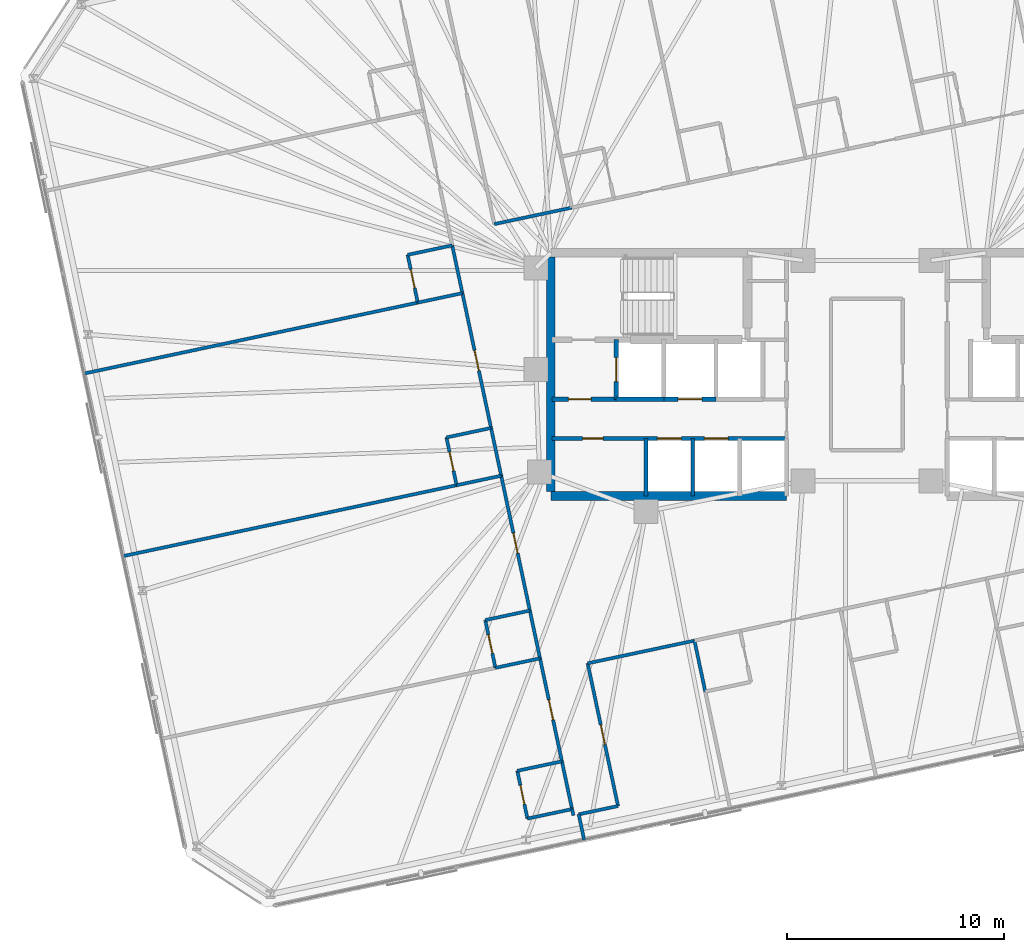
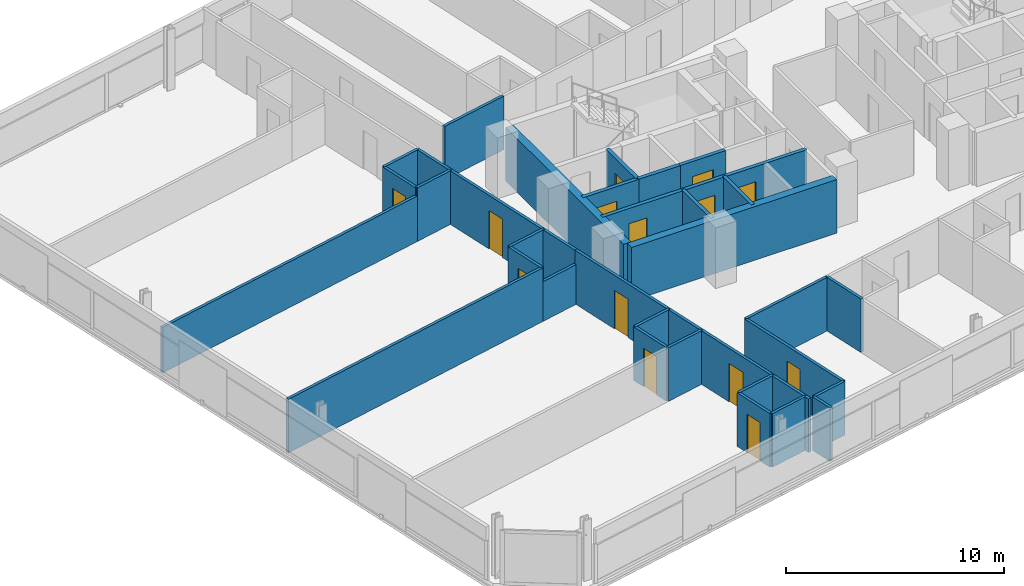
# One storey, part 14 of 20: 37 walls, 14 doors, 14 openings.
"""IFC4 building model written with IfcOpenShell, lengths in metres."""

from ifc_helpers import new_model, si_unit, direction, frame, frame_2d, origin, place, context, subcontext, project, spatial, rectangle, extrude, material, layer, layer_set, type_object, element, fill, save


model = new_model("IFC4")

# Units and contexts
model_context = context("Model", 3, precision=1e-05, world=origin(), true_north=direction((0.0, 1.0)))
body_context = subcontext(model_context, "Body", "Model", "MODEL_VIEW")
ifc_project = project(units=[si_unit("LENGTHUNIT", "METRE"), si_unit("AREAUNIT", "SQUARE_METRE"), si_unit("VOLUMEUNIT", "CUBIC_METRE"), si_unit("PLANEANGLEUNIT", "RADIAN"), si_unit("MASSUNIT", "GRAM", prefix="KILO")], contexts=[model_context])

# Site, building, storey
site_placement = place(None, origin())
site = spatial("IfcSite", under=ifc_project, at=site_placement, CompositionType="ELEMENT")
building_placement = place(site_placement, origin())
building = spatial("IfcBuilding", under=site, at=building_placement, Name="Menara Jurai Vektor", CompositionType="ELEMENT")
storey_placement = place(building_placement, frame((0.0, 0.0, 199.0)))
storey = spatial("IfcBuildingStorey", under=building, at=storey_placement, Name="L52", CompositionType="ELEMENT", Elevation=199.0)

# Wall, opening, door
ifc_material_1 = material(Name="Concrete C40/50", Category="concrete")
ifc_layer_1 = layer(ifc_material_1, 0.25)
ifc_layer_set_1 = layer_set([ifc_layer_1], Name="Concrete C40/50")
wall_type_1 = type_object("IfcWallType", Name="INT-WALL-CORE-250", PredefinedType="STANDARD", material=ifc_layer_set_1)
wall_1_placement = place(storey_placement, frame((-11.550048828125, -1.14990234375, 0.0), z_axis=(0.0, 0.0, 1.0), x_axis=(0.0, 1.0, 0.0)))
wall_1 = element("IfcWall", 1, at=wall_1_placement, inside=storey, type_object=wall_type_1, Name="Interior Wall IW-250 L52", PredefinedType="STANDARD", context=body_context, shape_type="SweptSolid", body=[
    extrude(rectangle(XDim=2.75, YDim=0.199951171875, at=frame_2d((1.375, 0.0))), origin(), (0.0, 0.0, 1.0), 3.0),
])
opening_1_placement = place(wall_1_placement, frame((0.824951171875, 0.0, 0.0)))
opening_1 = element("IfcOpeningElement", 2, at=opening_1_placement, cuts=wall_1, Name="Opening LD-L52-FL1", PredefinedType="OPENING", context=body_context, shape_type="SweptSolid", body=[
    extrude(rectangle(XDim=1.10009765625, YDim=2.14990234375, at=frame_2d((0.550048828125, 1.074951171875))), frame((0.0, 0.10986328125, 0.0), z_axis=(0.0, -1.0, 0.0), x_axis=(1.0, 0.0, 0.0)), (0.0, 0.0, 1.0), 0.219970703125),
])
ifc_material_2 = material(Name="Stainless Steel Sliding Lift Landing Door", Category="steel")
door_type_1 = type_object("IfcDoorType", Name="DR-LIFT-FIRE-1100", OperationType="NOTDEFINED", PredefinedType="DOOR", material=ifc_material_2)
door_1_placement = place(opening_1_placement, origin())
door_1 = element("IfcDoor", 3, at=door_1_placement, inside=storey, type_object=door_type_1, Name="Lift Landing Door FL1 L52", OperationType="SLIDING_TO_RIGHT", OverallHeight=2.14990234375, OverallWidth=1.10009765625, PredefinedType="DOOR", context=body_context, shape_type="SweptSolid", body=[
    extrude(rectangle(XDim=1.10009765625, YDim=2.14990234375, at=frame_2d((0.550048828125, 1.074951171875))), frame((0.0, 0.02490234375, 0.0), z_axis=(0.0, -1.0, 0.0), x_axis=(1.0, 0.0, 0.0)), (0.0, 0.0, 1.0), 0.050048828125),
])
fill(opening_1, door_1)

wall_2_placement = place(storey_placement, frame((-14.5, -1.14990234375, 0.0), z_axis=(0.0, 0.0, 1.0), x_axis=(1.0, 0.0, 0.0)))
wall_2 = element("IfcWall", 4, at=wall_2_placement, inside=storey, type_object=wall_type_1, Name="Interior Wall IW-250 L52", PredefinedType="STANDARD", context=body_context, shape_type="SweptSolid", body=[
    extrude(rectangle(XDim=2.949951171875, YDim=0.199951171875, at=frame_2d((1.47509765625, 0.0))), origin(), (0.0, 0.0, 1.0), 3.0),
])
opening_2_placement = place(wall_2_placement, frame((0.75, 0.0, 0.0)))
opening_2 = element("IfcOpeningElement", 5, at=opening_2_placement, cuts=wall_2, Name="Opening D-L52-FFW", PredefinedType="OPENING", context=body_context, shape_type="SweptSolid", body=[
    extrude(rectangle(XDim=1.050048828125, YDim=2.179931640625, at=frame_2d((0.52490234375, 1.08984375))), frame((0.0, 0.10986328125, 0.0), z_axis=(0.0, -1.0, 0.0), x_axis=(1.0, 0.0, 0.0)), (0.0, 0.0, 1.0), 0.219970703125),
])
ifc_material_3 = material(Name="Fire-Rated Timber Door", Category="wood")
door_type_2 = type_object("IfcDoorType", Name="DR-LOBBY-1050", OperationType="NOTDEFINED", PredefinedType="DOOR", material=ifc_material_3)
door_2_placement = place(opening_2_placement, origin())
door_2 = element("IfcDoor", 6, at=door_2_placement, inside=storey, type_object=door_type_2, Name="Fire Lift Lobby Door W L52", OperationType="SINGLE_SWING_RIGHT", OverallHeight=2.179931640625, OverallWidth=1.050048828125, PredefinedType="DOOR", context=body_context, shape_type="SweptSolid", body=[
    extrude(rectangle(XDim=1.050048828125, YDim=2.179931640625, at=frame_2d((0.52490234375, 1.08984375))), frame((0.0, 0.02490234375, 0.0), z_axis=(0.0, -1.0, 0.0), x_axis=(1.0, 0.0, 0.0)), (0.0, 0.0, 1.0), 0.050048828125),
])
fill(opening_2, door_2)

# Walls
wall_3_placement = place(storey_placement, frame((-11.550048828125, -1.14990234375, 0.0), z_axis=(0.0, 0.0, 1.0), x_axis=(1.0, 0.0, 0.0)))
element("IfcWall", 7, at=wall_3_placement, inside=storey, type_object=wall_type_1, Name="Interior Wall IW-250 L52", PredefinedType="STANDARD", context=body_context, shape_type="SweptSolid", body=[
    extrude(rectangle(XDim=2.199951171875, YDim=0.199951171875, at=frame_2d((1.10009765625, 0.0))), origin(), (0.0, 0.0, 1.0), 3.0),
])
ifc_material_4 = material(Name="Gypsum Fireboard Partition", Category="gypsum")
ifc_layer_2 = layer(ifc_material_4, 0.14990234375)
ifc_layer_set_2 = layer_set([ifc_layer_2], Name="Gypsum Fireboard Partition")
wall_type_2 = type_object("IfcWallType", Name="INT-WALL-CORR-150", PredefinedType="PARTITIONING", material=ifc_layer_set_2)
wall_4_placement = place(storey_placement, frame((-17.162353515625, 6.92578125, 0.0), z_axis=(0.0, 0.0, 1.0), x_axis=(0.978147299501, 0.207913108004, 0.0)))
element("IfcWall", 8, at=wall_4_placement, inside=storey, type_object=wall_type_2, Name="Interior Wall IW-150 L52", PredefinedType="PARTITIONING", context=body_context, shape_type="SweptSolid", body=[
    extrude(rectangle(XDim=3.653076171875, YDim=0.14990234375, at=frame_2d((1.82666015625, 0.0))), origin(), (0.0, 0.0, 1.0), 3.0),
])
wall_5_placement = place(storey_placement, frame((-13.274169921875, -20.264892578125, 0.0), z_axis=(0.0, 0.0, 1.0), x_axis=(0.978160192495, 0.207852442415, 0.0)))
element("IfcWall", 9, at=wall_5_placement, inside=storey, type_object=wall_type_2, Name="Interior Wall IW-150 L52", PredefinedType="PARTITIONING", context=body_context, shape_type="SweptSolid", body=[
    extrude(rectangle(XDim=1.849853515625, YDim=0.14990234375, at=frame_2d((0.9248046875, 0.0))), origin(), (0.0, 0.0, 1.0), 3.0),
])

# Wall, opening, door
wall_6_placement = place(storey_placement, frame((-11.464599609375, -19.88037109375, 0.0), z_axis=(0.0, 0.0, 1.0), x_axis=(-0.207916109912, 0.978146661416, 0.0)))
wall_6 = element("IfcWall", 10, at=wall_6_placement, inside=storey, type_object=wall_type_2, Name="Interior Wall IW-150 L52", PredefinedType="PARTITIONING", context=body_context, shape_type="SweptSolid", body=[
    extrude(rectangle(XDim=6.72021484375, YDim=0.14990234375, at=frame_2d((3.360107421875, 0.0))), origin(), (0.0, 0.0, 1.0), 3.0),
])
opening_3_placement = place(wall_6_placement, frame((2.89990234375, 0.0, 0.0)))
opening_3 = element("IfcOpeningElement", 11, at=opening_3_placement, cuts=wall_6, Name="Opening D52-18", PredefinedType="OPENING", context=body_context, shape_type="SweptSolid", body=[
    extrude(rectangle(XDim=0.919921875, YDim=2.14990234375, at=frame_2d((0.4599609375, 1.074951171875))), frame((0.0, 0.0849609375, 0.0), z_axis=(0.0, -1.0, 0.0), x_axis=(1.0, 0.0, 0.0)), (0.0, 0.0, 1.0), 0.169921875),
])
ifc_material_5 = material(Name="Solid Core Timber Fire Door", Category="wood")
door_type_3 = type_object("IfcDoorType", Name="DR-ENTRY-950", OperationType="NOTDEFINED", PredefinedType="DOOR", material=ifc_material_5)
door_3_placement = place(opening_3_placement, origin())
door_3 = element("IfcDoor", 12, at=door_3_placement, inside=storey, type_object=door_type_3, Name="Interior Door D52-18", OperationType="SINGLE_SWING_LEFT", OverallHeight=2.14990234375, OverallWidth=0.919921875, PredefinedType="DOOR", context=body_context, shape_type="SweptSolid", body=[
    extrude(rectangle(XDim=0.919921875, YDim=2.14990234375, at=frame_2d((0.4599609375, 1.074951171875))), frame((0.0, 0.02490234375, 0.0), z_axis=(0.0, -1.0, 0.0), x_axis=(1.0, 0.0, 0.0)), (0.0, 0.0, 1.0), 0.050048828125),
])
fill(opening_3, door_3)

# Walls
wall_7_placement = place(storey_placement, frame((-12.86181640625, -13.30712890625, 0.0), z_axis=(0.0, 0.0, 1.0), x_axis=(0.978145647498, 0.207920879857, 0.0)))
element("IfcWall", 13, at=wall_7_placement, inside=storey, type_object=wall_type_2, Name="Interior Wall IW-150 L52", PredefinedType="PARTITIONING", context=body_context, shape_type="SweptSolid", body=[
    extrude(rectangle(XDim=5.029052734375, YDim=0.14990234375, at=frame_2d((2.5146484375, 0.0))), origin(), (0.0, 0.0, 1.0), 3.0),
])
wall_8_placement = place(storey_placement, frame((-13.518798828125, -20.31689453125, 0.0), z_axis=(0.0, 0.0, 1.0), x_axis=(-0.207527808066, 0.978229118806, 0.0)))
element("IfcWall", 14, at=wall_8_placement, inside=storey, type_object=wall_type_2, Name="Interior Wall IW-150 L52", PredefinedType="PARTITIONING", context=body_context, shape_type="SweptSolid", body=[
    extrude(rectangle(XDim=0.300048828125, YDim=0.14990234375, at=frame_2d((0.14990234375, 0.0))), origin(), (0.0, 0.0, 1.0), 3.0),
])

# Wall, opening, door
wall_9_placement = place(storey_placement, frame((-14.048828125, -17.822509765625, 0.0), z_axis=(0.0, 0.0, 1.0), x_axis=(-0.2079027059, 0.978149510494, 0.0)))
wall_9 = element("IfcWall", 15, at=wall_9_placement, inside=storey, type_object=wall_type_2, Name="Interior Wall IW-150 L52", PredefinedType="PARTITIONING", context=body_context, shape_type="SweptSolid", body=[
    extrude(rectangle(XDim=4.849853515625, YDim=0.14990234375, at=frame_2d((2.4248046875, 0.0))), origin(), (0.0, 0.0, 1.0), 3.0),
])
opening_4_placement = place(wall_9_placement, frame((1.949951171875, 0.0, 0.0)))
opening_4 = element("IfcOpeningElement", 16, at=opening_4_placement, cuts=wall_9, Name="Opening D52-27", PredefinedType="OPENING", context=body_context, shape_type="SweptSolid", body=[
    extrude(rectangle(XDim=0.949951171875, YDim=2.14990234375, at=frame_2d((0.47509765625, 1.074951171875))), frame((0.0, 0.0849609375, 0.0), z_axis=(0.0, -1.0, 0.0), x_axis=(1.0, 0.0, 0.0)), (0.0, 0.0, 1.0), 0.169921875),
])
door_4_placement = place(opening_4_placement, origin())
door_4 = element("IfcDoor", 17, at=door_4_placement, inside=storey, type_object=door_type_3, Name="Interior Door D52-27", OperationType="SINGLE_SWING_RIGHT", OverallHeight=2.14990234375, OverallWidth=0.949951171875, PredefinedType="DOOR", context=body_context, shape_type="SweptSolid", body=[
    extrude(rectangle(XDim=0.949951171875, YDim=2.14990234375, at=frame_2d((0.47509765625, 1.074951171875))), frame((0.0, 0.02490234375, 0.0), z_axis=(0.0, -1.0, 0.0), x_axis=(1.0, 0.0, 0.0)), (0.0, 0.0, 1.0), 0.050048828125),
])
fill(opening_4, door_4)

# Wall
wall_10_placement = place(storey_placement, frame((-13.5810546875, -20.0234375, 0.0), z_axis=(0.0, 0.0, 1.0), x_axis=(-0.207891197838, 0.978151956427, 0.0)))
element("IfcWall", 18, at=wall_10_placement, inside=storey, type_object=wall_type_2, Name="Interior Wall IW-150 L52", PredefinedType="PARTITIONING", context=body_context, shape_type="SweptSolid", body=[
    extrude(rectangle(XDim=2.25, YDim=0.14990234375, at=frame_2d((1.125, 0.0))), origin(), (0.0, 0.0, 1.0), 3.0),
])

# Wall, opening, door
wall_11_placement = place(storey_placement, frame((-15.525146484375, -10.877685546875, 0.0), z_axis=(0.0, 0.0, 1.0), x_axis=(-0.207887725283, 0.978152694459, 0.0)))
wall_11 = element("IfcWall", 19, at=wall_11_placement, inside=storey, type_object=wall_type_2, Name="Interior Wall IW-150 L52", PredefinedType="PARTITIONING", context=body_context, shape_type="SweptSolid", body=[
    extrude(rectangle(XDim=6.349853515625, YDim=0.14990234375, at=frame_2d((3.1748046875, 0.0))), origin(), (0.0, 0.0, 1.0), 3.0),
])
opening_5_placement = place(wall_11_placement, frame((2.699951171875, 0.0, 0.0)))
opening_5 = element("IfcOpeningElement", 20, at=opening_5_placement, cuts=wall_11, Name="Opening D52-29", PredefinedType="OPENING", context=body_context, shape_type="SweptSolid", body=[
    extrude(rectangle(XDim=0.949951171875, YDim=2.14990234375, at=frame_2d((0.47509765625, 1.074951171875))), frame((0.0, 0.0849609375, 0.0), z_axis=(0.0, -1.0, 0.0), x_axis=(1.0, 0.0, 0.0)), (0.0, 0.0, 1.0), 0.169921875),
])
door_5_placement = place(opening_5_placement, origin())
door_5 = element("IfcDoor", 21, at=door_5_placement, inside=storey, type_object=door_type_3, Name="Interior Door D52-29", OperationType="SINGLE_SWING_RIGHT", OverallHeight=2.14990234375, OverallWidth=0.949951171875, PredefinedType="DOOR", context=body_context, shape_type="SweptSolid", body=[
    extrude(rectangle(XDim=0.949951171875, YDim=2.14990234375, at=frame_2d((0.47509765625, 1.074951171875))), frame((0.0, 0.02490234375, 0.0), z_axis=(0.0, -1.0, 0.0), x_axis=(1.0, 0.0, 0.0)), (0.0, 0.0, 1.0), 0.050048828125),
])
fill(opening_5, door_5)

# Wall
wall_12_placement = place(storey_placement, frame((-15.05712890625, -13.07861328125, 0.0), z_axis=(0.0, 0.0, 1.0), x_axis=(-0.207995007687, 0.978129887478, 0.0)))
element("IfcWall", 22, at=wall_12_placement, inside=storey, type_object=wall_type_2, Name="Interior Wall IW-150 L52", PredefinedType="PARTITIONING", context=body_context, shape_type="SweptSolid", body=[
    extrude(rectangle(XDim=2.250244140625, YDim=0.14990234375, at=frame_2d((1.125, 0.0))), origin(), (0.0, 0.0, 1.0), 3.0),
])

# Wall, opening, door
wall_13_placement = place(storey_placement, frame((-17.31298828125, -2.4658203125, 0.0), z_axis=(0.0, 0.0, 1.0), x_axis=(-0.207916691923, 0.978146537703, 0.0)))
wall_13 = element("IfcWall", 23, at=wall_13_placement, inside=storey, type_object=wall_type_2, Name="Interior Wall IW-150 L52", PredefinedType="PARTITIONING", context=body_context, shape_type="SweptSolid", body=[
    extrude(rectangle(XDim=6.35009765625, YDim=0.14990234375, at=frame_2d((3.175048828125, 0.0))), origin(), (0.0, 0.0, 1.0), 3.0),
])
opening_6_placement = place(wall_13_placement, frame((2.699951171875, 0.0, 0.0)))
opening_6 = element("IfcOpeningElement", 24, at=opening_6_placement, cuts=wall_13, Name="Opening D52-31", PredefinedType="OPENING", context=body_context, shape_type="SweptSolid", body=[
    extrude(rectangle(XDim=0.949951171875, YDim=2.14990234375, at=frame_2d((0.47509765625, 1.074951171875))), frame((0.0, 0.0849609375, 0.0), z_axis=(0.0, -1.0, 0.0), x_axis=(1.0, 0.0, 0.0)), (0.0, 0.0, 1.0), 0.169921875),
])
door_6_placement = place(opening_6_placement, origin())
door_6 = element("IfcDoor", 25, at=door_6_placement, inside=storey, type_object=door_type_3, Name="Interior Door D52-31", OperationType="SINGLE_SWING_RIGHT", OverallHeight=2.14990234375, OverallWidth=0.949951171875, PredefinedType="DOOR", context=body_context, shape_type="SweptSolid", body=[
    extrude(rectangle(XDim=0.949951171875, YDim=2.14990234375, at=frame_2d((0.47509765625, 1.074951171875))), frame((0.0, 0.02490234375, 0.0), z_axis=(0.0, -1.0, 0.0), x_axis=(1.0, 0.0, 0.0)), (0.0, 0.0, 1.0), 0.050048828125),
])
fill(opening_6, door_6)

# Walls
for number, where, z_axis, x_axis, name in (
    (26, (-16.84521484375, -4.66650390625, 0.0), (0.0, 0.0, 1.0), (-0.207913264065, 0.978147266328, 0.0), "Interior Wall IW-150 L52"),
    (27, (-18.63330078125, 3.74560546875, 0.0), (0.0, 0.0, 1.0), (-0.207913264065, 0.978147266328, 0.0), "Interior Wall IW-150 L52"),
):
    element("IfcWall", number, at=place(storey_placement, frame(where, z_axis=z_axis, x_axis=x_axis)), inside=storey, type_object=wall_type_2, Name=name, PredefinedType="PARTITIONING", context=body_context, shape_type="SweptSolid", body=[
        extrude(rectangle(XDim=2.249755859375, YDim=0.14990234375, at=frame_2d((1.125, 0.0))), origin(), (0.0, 0.0, 1.0), 3.0),
    ])
wall_14_placement = place(storey_placement, frame((-7.443603515625, -14.609130859375, 0.0), z_axis=(0.0, 0.0, 1.0), x_axis=(-0.207917150959, 0.978146440129, 0.0)))
element("IfcWall", 28, at=wall_14_placement, inside=storey, type_object=wall_type_2, Name="Interior Wall IW-150 L52", PredefinedType="PARTITIONING", context=body_context, shape_type="SweptSolid", body=[
    extrude(rectangle(XDim=2.400146484375, YDim=0.14990234375, at=frame_2d((1.2001953125, 0.0))), origin(), (0.0, 0.0, 1.0), 3.0),
])
wall_15_placement = place(storey_placement, frame((-13.024658203125, -21.438720703125, 0.0), z_axis=(0.0, 0.0, 1.0), x_axis=(-0.207917150959, 0.978146440129, 0.0)))
element("IfcWall", 29, at=wall_15_placement, inside=storey, type_object=wall_type_2, Name="Interior Wall IW-150 L52", PredefinedType="PARTITIONING", context=body_context, shape_type="SweptSolid", body=[
    extrude(rectangle(XDim=1.199951171875, YDim=0.14990234375, at=frame_2d((0.60009765625, 0.0))), origin(), (0.0, 0.0, 1.0), 3.0),
])

# Wall, opening, door
wall_16_placement = place(storey_placement, frame((-15.63525390625, -20.4599609375, 0.0), z_axis=(0.0, 0.0, 1.0), x_axis=(-0.207913264065, 0.978147266328, 0.0)))
wall_16 = element("IfcWall", 30, at=wall_16_placement, inside=storey, type_object=wall_type_2, Name="Interior Wall IW-150 L52", PredefinedType="PARTITIONING", context=body_context, shape_type="SweptSolid", body=[
    extrude(rectangle(XDim=2.249755859375, YDim=0.14990234375, at=frame_2d((1.125, 0.0))), origin(), (0.0, 0.0, 1.0), 3.0),
])
opening_7_placement = place(wall_16_placement, frame((0.68505859375, 0.0, 0.0)))
opening_7 = element("IfcOpeningElement", 31, at=opening_7_placement, cuts=wall_16, Name="Opening D52-28", PredefinedType="OPENING", context=body_context, shape_type="SweptSolid", body=[
    extrude(rectangle(XDim=0.8798828125, YDim=2.14990234375, at=frame_2d((0.43994140625, 1.074951171875))), frame((0.0, 0.0849609375, 0.0), z_axis=(0.0, -1.0, 0.0), x_axis=(1.0, 0.0, 0.0)), (0.0, 0.0, 1.0), 0.169921875),
])
ifc_material_6 = material(Name="Moisture-Resistant Timber Door", Category="wood")
door_type_4 = type_object("IfcDoorType", Name="DR-BATH-880", OperationType="NOTDEFINED", PredefinedType="DOOR", material=ifc_material_6)
door_7_placement = place(opening_7_placement, origin())
door_7 = element("IfcDoor", 32, at=door_7_placement, inside=storey, type_object=door_type_4, Name="Interior Door D52-28", OperationType="SINGLE_SWING_LEFT", OverallHeight=2.14990234375, OverallWidth=0.8798828125, PredefinedType="DOOR", context=body_context, shape_type="SweptSolid", body=[
    extrude(rectangle(XDim=0.8798828125, YDim=2.14990234375, at=frame_2d((0.43994140625, 1.074951171875))), frame((0.0, 0.02490234375, 0.0), z_axis=(0.0, -1.0, 0.0), x_axis=(1.0, 0.0, 0.0)), (0.0, 0.0, 1.0), 0.050048828125),
])
fill(opening_7, door_7)

# Walls
for number, where, z_axis, x_axis, name in (
    (33, (-15.63525390625, -20.4599609375, 0.0), (0.0, 0.0, 1.0), (0.97815826, 0.207861536591, 0.0), "Interior Wall IW-150 L52"),
    (34, (-16.10302734375, -18.25927734375, 0.0), (0.0, 0.0, 1.0), (0.978134617382, 0.207972763311, 0.0), "Interior Wall IW-150 L52"),
    (35, (-17.111328125, -13.51513671875, 0.0), (0.0, 0.0, 1.0), (0.97815826, 0.207861536591, 0.0), "Interior Wall IW-150 L52"),
):
    element("IfcWall", number, at=place(storey_placement, frame(where, z_axis=z_axis, x_axis=x_axis)), inside=storey, type_object=wall_type_2, Name=name, PredefinedType="PARTITIONING", context=body_context, shape_type="SweptSolid", body=[
        extrude(rectangle(XDim=2.10009765625, YDim=0.14990234375, at=frame_2d((1.050048828125, 0.0))), origin(), (0.0, 0.0, 1.0), 3.0),
    ])

# Wall, opening, door
wall_17_placement = place(storey_placement, frame((-17.111328125, -13.51513671875, 0.0), z_axis=(0.0, 0.0, 1.0), x_axis=(-0.207913264065, 0.978147266328, 0.0)))
wall_17 = element("IfcWall", 36, at=wall_17_placement, inside=storey, type_object=wall_type_2, Name="Interior Wall IW-150 L52", PredefinedType="PARTITIONING", context=body_context, shape_type="SweptSolid", body=[
    extrude(rectangle(XDim=2.249755859375, YDim=0.14990234375, at=frame_2d((1.125, 0.0))), origin(), (0.0, 0.0, 1.0), 3.0),
])
opening_8_placement = place(wall_17_placement, frame((0.68505859375, 0.0, 0.0)))
opening_8 = element("IfcOpeningElement", 37, at=opening_8_placement, cuts=wall_17, Name="Opening D52-30", PredefinedType="OPENING", context=body_context, shape_type="SweptSolid", body=[
    extrude(rectangle(XDim=0.8798828125, YDim=2.14990234375, at=frame_2d((0.43994140625, 1.074951171875))), frame((0.0, 0.0849609375, 0.0), z_axis=(0.0, -1.0, 0.0), x_axis=(1.0, 0.0, 0.0)), (0.0, 0.0, 1.0), 0.169921875),
])
door_8_placement = place(opening_8_placement, origin())
door_8 = element("IfcDoor", 38, at=door_8_placement, inside=storey, type_object=door_type_4, Name="Interior Door D52-30", OperationType="SINGLE_SWING_LEFT", OverallHeight=2.14990234375, OverallWidth=0.8798828125, PredefinedType="DOOR", context=body_context, shape_type="SweptSolid", body=[
    extrude(rectangle(XDim=0.8798828125, YDim=2.14990234375, at=frame_2d((0.43994140625, 1.074951171875))), frame((0.0, 0.02490234375, 0.0), z_axis=(0.0, -1.0, 0.0), x_axis=(1.0, 0.0, 0.0)), (0.0, 0.0, 1.0), 0.050048828125),
])
fill(opening_8, door_8)

# Walls
wall_18_placement = place(storey_placement, frame((-17.5791015625, -11.314453125, 0.0), z_axis=(0.0, 0.0, 1.0), x_axis=(0.978129588365, 0.207996414309, 0.0)))
element("IfcWall", 39, at=wall_18_placement, inside=storey, type_object=wall_type_2, Name="Interior Wall IW-150 L52", PredefinedType="PARTITIONING", context=body_context, shape_type="SweptSolid", body=[
    extrude(rectangle(XDim=2.099853515625, YDim=0.14990234375, at=frame_2d((1.0498046875, 0.0))), origin(), (0.0, 0.0, 1.0), 3.0),
])
wall_19_placement = place(storey_placement, frame((-34.27392578125, -8.37109375, 0.0), z_axis=(0.0, 0.0, 1.0), x_axis=(0.978146137903, 0.207918572776, 0.0)))
element("IfcWall", 40, at=wall_19_placement, inside=storey, type_object=wall_type_2, Name="Interior Wall IW-150 L52", PredefinedType="PARTITIONING", context=body_context, shape_type="SweptSolid", body=[
    extrude(rectangle(XDim=15.718017578125, YDim=0.14990234375, at=frame_2d((7.85888671875, 0.0))), origin(), (0.0, 0.0, 1.0), 3.0),
])

# Wall, opening, door
wall_20_placement = place(storey_placement, frame((-18.8994140625, -5.10302734375, 0.0), z_axis=(0.0, 0.0, 1.0), x_axis=(-0.207913264065, 0.978147266328, 0.0)))
wall_20 = element("IfcWall", 41, at=wall_20_placement, inside=storey, type_object=wall_type_2, Name="Interior Wall IW-150 L52", PredefinedType="PARTITIONING", context=body_context, shape_type="SweptSolid", body=[
    extrude(rectangle(XDim=2.249755859375, YDim=0.14990234375, at=frame_2d((1.125, 0.0))), origin(), (0.0, 0.0, 1.0), 3.0),
])
opening_9_placement = place(wall_20_placement, frame((0.68505859375, 0.0, 0.0)))
opening_9 = element("IfcOpeningElement", 42, at=opening_9_placement, cuts=wall_20, Name="Opening D52-32", PredefinedType="OPENING", context=body_context, shape_type="SweptSolid", body=[
    extrude(rectangle(XDim=0.8798828125, YDim=2.14990234375, at=frame_2d((0.43994140625, 1.074951171875))), frame((0.0, 0.0849609375, 0.0), z_axis=(0.0, -1.0, 0.0), x_axis=(1.0, 0.0, 0.0)), (0.0, 0.0, 1.0), 0.169921875),
])
door_9_placement = place(opening_9_placement, origin())
door_9 = element("IfcDoor", 43, at=door_9_placement, inside=storey, type_object=door_type_4, Name="Interior Door D52-32", OperationType="SINGLE_SWING_LEFT", OverallHeight=2.14990234375, OverallWidth=0.8798828125, PredefinedType="DOOR", context=body_context, shape_type="SweptSolid", body=[
    extrude(rectangle(XDim=0.8798828125, YDim=2.14990234375, at=frame_2d((0.43994140625, 1.074951171875))), frame((0.0, 0.02490234375, 0.0), z_axis=(0.0, -1.0, 0.0), x_axis=(1.0, 0.0, 0.0)), (0.0, 0.0, 1.0), 0.050048828125),
])
fill(opening_9, door_9)

# Walls
for number, where, z_axis, x_axis, name in (
    (44, (-19.3671875, -2.90234375, 0.0), (0.0, 0.0, 1.0), (0.97815826, 0.207861536591, 0.0), "Interior Wall IW-150 L52"),
    (45, (-20.6875, 3.308837890625, 0.0), (0.0, 0.0, 1.0), (0.978134617382, 0.207972763311, 0.0), "Interior Wall IW-150 L52"),
):
    element("IfcWall", number, at=place(storey_placement, frame(where, z_axis=z_axis, x_axis=x_axis)), inside=storey, type_object=wall_type_2, Name=name, PredefinedType="PARTITIONING", context=body_context, shape_type="SweptSolid", body=[
        extrude(rectangle(XDim=2.10009765625, YDim=0.14990234375, at=frame_2d((1.050048828125, 0.0))), origin(), (0.0, 0.0, 1.0), 3.0),
    ])

# Wall, opening, door
wall_21_placement = place(storey_placement, frame((-20.6875, 3.308837890625, 0.0), z_axis=(0.0, 0.0, 1.0), x_axis=(-0.207891197838, 0.978151956427, 0.0)))
wall_21 = element("IfcWall", 46, at=wall_21_placement, inside=storey, type_object=wall_type_2, Name="Interior Wall IW-150 L52", PredefinedType="PARTITIONING", context=body_context, shape_type="SweptSolid", body=[
    extrude(rectangle(XDim=2.25, YDim=0.14990234375, at=frame_2d((1.125, 0.0))), origin(), (0.0, 0.0, 1.0), 3.0),
])
opening_10_placement = place(wall_21_placement, frame((0.68505859375, 0.0, 0.0)))
opening_10 = element("IfcOpeningElement", 47, at=opening_10_placement, cuts=wall_21, Name="Opening D52-34", PredefinedType="OPENING", context=body_context, shape_type="SweptSolid", body=[
    extrude(rectangle(XDim=0.8798828125, YDim=2.14990234375, at=frame_2d((0.43994140625, 1.074951171875))), frame((0.0, 0.0849609375, 0.0), z_axis=(0.0, -1.0, 0.0), x_axis=(1.0, 0.0, 0.0)), (0.0, 0.0, 1.0), 0.169921875),
])
door_10_placement = place(opening_10_placement, origin())
door_10 = element("IfcDoor", 48, at=door_10_placement, inside=storey, type_object=door_type_4, Name="Interior Door D52-34", OperationType="SINGLE_SWING_LEFT", OverallHeight=2.14990234375, OverallWidth=0.8798828125, PredefinedType="DOOR", context=body_context, shape_type="SweptSolid", body=[
    extrude(rectangle(XDim=0.8798828125, YDim=2.14990234375, at=frame_2d((0.43994140625, 1.074951171875))), frame((0.0, 0.02490234375, 0.0), z_axis=(0.0, -1.0, 0.0), x_axis=(1.0, 0.0, 0.0)), (0.0, 0.0, 1.0), 0.050048828125),
])
fill(opening_10, door_10)

# Walls
wall_22_placement = place(storey_placement, frame((-21.1552734375, 5.509765625, 0.0), z_axis=(0.0, 0.0, 1.0), x_axis=(0.97815826, 0.207861536591, 0.0)))
element("IfcWall", 49, at=wall_22_placement, inside=storey, type_object=wall_type_2, Name="Interior Wall IW-150 L52", PredefinedType="PARTITIONING", context=body_context, shape_type="SweptSolid", body=[
    extrude(rectangle(XDim=2.10009765625, YDim=0.14990234375, at=frame_2d((1.050048828125, 0.0))), origin(), (0.0, 0.0, 1.0), 3.0),
])
ifc_layer_3 = layer(ifc_material_4, 0.14990234375)
ifc_layer_set_3 = layer_set([ifc_layer_3], Name="Gypsum Fireboard Partition")
wall_type_3 = type_object("IfcWallType", Name="INT-WALL-CORR-150-H1", PredefinedType="PARTITIONING", material=ifc_layer_set_3)
wall_23_placement = place(storey_placement, frame((-36.06201171875, 0.041015625, 0.0), z_axis=(0.0, 0.0, 1.0), x_axis=(0.978149296727, 0.207903711638, 0.0)))
element("IfcWall", 50, at=wall_23_placement, inside=storey, type_object=wall_type_3, Name="Interior Wall IW-150 L52", PredefinedType="PARTITIONING", context=body_context, shape_type="SweptSolid", body=[
    extrude(rectangle(XDim=15.718017578125, YDim=0.14990234375, at=frame_2d((7.85888671875, 0.0))), origin(), (0.0, 0.0, 1.0), 2.550048828125),
])
ifc_layer_4 = layer(ifc_material_4, 0.14990234375)
ifc_layer_set_4 = layer_set([ifc_layer_4], Name="Gypsum Fireboard Partition")
wall_type_4 = type_object("IfcWallType", Name="INT-WALL-CORR-150-H3", PredefinedType="PARTITIONING", material=ifc_layer_set_4)
wall_24_placement = place(storey_placement, frame((-18.8994140625, -5.10302734375, 0.0), z_axis=(0.0, 0.0, 1.0), x_axis=(0.97815826, 0.207861536591, 0.0)))
element("IfcWall", 51, at=wall_24_placement, inside=storey, type_object=wall_type_4, Name="Interior Wall IW-150 L52", PredefinedType="PARTITIONING", context=body_context, shape_type="SweptSolid", body=[
    extrude(rectangle(XDim=2.10009765625, YDim=0.14990234375, at=frame_2d((1.050048828125, 0.0))), origin(), (0.0, 0.0, 1.0), 2.219970703125),
])

# Wall, opening, door
ifc_layer_5 = layer(ifc_material_1, 0.199951171875)
ifc_layer_set_5 = layer_set([ifc_layer_5], Name="Concrete C40/50")
wall_type_5 = type_object("IfcWallType", Name="INT-WALL-SHAFT-200", PredefinedType="STANDARD", material=ifc_layer_set_5)
wall_25_placement = place(storey_placement, frame((-9.35009765625, -1.14990234375, 0.0), z_axis=(0.0, 0.0, 1.0), x_axis=(1.0, 0.0, 0.0)))
wall_25 = element("IfcWall", 52, at=wall_25_placement, inside=storey, type_object=wall_type_5, Name="Interior Wall IW-200 L52", PredefinedType="STANDARD", context=body_context, shape_type="SweptSolid", body=[
    extrude(rectangle(XDim=2.400146484375, YDim=0.199951171875, at=frame_2d((1.2001953125, 0.0))), origin(), (0.0, 0.0, 1.0), 3.0),
])
opening_11_placement = place(wall_25_placement, frame((0.64990234375, 0.0, 0.0)))
opening_11 = element("IfcOpeningElement", 53, at=opening_11_placement, cuts=wall_25, Name="Opening LD-L52-SVL1", PredefinedType="OPENING", context=body_context, shape_type="SweptSolid", body=[
    extrude(rectangle(XDim=1.10009765625, YDim=2.14990234375, at=frame_2d((0.550048828125, 1.074951171875))), frame((0.0, 0.10986328125, 0.0), z_axis=(0.0, -1.0, 0.0), x_axis=(1.0, 0.0, 0.0)), (0.0, 0.0, 1.0), 0.219970703125),
])
ifc_material_7 = material(Name="Anodised Stainless Sliding Lift Landing Door", Category="steel")
door_type_5 = type_object("IfcDoorType", Name="DR-LIFT-PASS-1100", OperationType="NOTDEFINED", PredefinedType="DOOR", material=ifc_material_7)
door_11_placement = place(opening_11_placement, origin())
door_11 = element("IfcDoor", 54, at=door_11_placement, inside=storey, type_object=door_type_5, Name="Lift Landing Door SVL1 L52", OperationType="SLIDING_TO_RIGHT", OverallHeight=2.14990234375, OverallWidth=1.10009765625, PredefinedType="DOOR", context=body_context, shape_type="SweptSolid", body=[
    extrude(rectangle(XDim=1.10009765625, YDim=2.14990234375, at=frame_2d((0.550048828125, 1.074951171875))), frame((0.0, 0.02490234375, 0.0), z_axis=(0.0, -1.0, 0.0), x_axis=(1.0, 0.0, 0.0)), (0.0, 0.0, 1.0), 0.050048828125),
])
fill(opening_11, door_11)

# Wall, openings, doors
wall_26_placement = place(storey_placement, frame((-14.5, -2.949951171875, 0.0), z_axis=(0.0, 0.0, 1.0), x_axis=(1.0, 0.0, 0.0)))
wall_26 = element("IfcWall", 55, at=wall_26_placement, inside=storey, type_object=wall_type_5, Name="Interior Wall IW-200 L52", PredefinedType="STANDARD", context=body_context, shape_type="SweptSolid", body=[
    extrude(rectangle(XDim=10.800048828125, YDim=0.199951171875, at=frame_2d((5.39990234375, 0.0))), origin(), (0.0, 0.0, 1.0), 3.0),
])
opening_12_placement = place(wall_26_placement, frame((4.85009765625, 0.0, 0.0)))
opening_12 = element("IfcOpeningElement", 56, at=opening_12_placement, cuts=wall_26, Name="Opening LD-L52-PM1", PredefinedType="OPENING", context=body_context, shape_type="SweptSolid", body=[
    extrude(rectangle(XDim=1.10009765625, YDim=2.14990234375, at=frame_2d((0.550048828125, 1.074951171875))), frame((0.0, 0.10986328125, 0.0), z_axis=(0.0, -1.0, 0.0), x_axis=(1.0, 0.0, 0.0)), (0.0, 0.0, 1.0), 0.219970703125),
])
opening_13_placement = place(wall_26_placement, frame((7.010009765625, 0.0, 0.0)))
opening_13 = element("IfcOpeningElement", 57, at=opening_13_placement, cuts=wall_26, Name="Opening LD-L52-PM2", PredefinedType="OPENING", context=body_context, shape_type="SweptSolid", body=[
    extrude(rectangle(XDim=1.10009765625, YDim=2.14990234375, at=frame_2d((0.550048828125, 1.074951171875))), frame((0.0, 0.10986328125, 0.0), z_axis=(0.0, -1.0, 0.0), x_axis=(1.0, 0.0, 0.0)), (0.0, 0.0, 1.0), 0.219970703125),
])
opening_14_placement = place(wall_26_placement, frame((1.39990234375, 0.0, 0.0)))
opening_14 = element("IfcOpeningElement", 58, at=opening_14_placement, cuts=wall_26, Name="Opening D52-01", PredefinedType="OPENING", context=body_context, shape_type="SweptSolid", body=[
    extrude(rectangle(XDim=0.949951171875, YDim=2.14990234375, at=frame_2d((0.47509765625, 1.074951171875))), frame((0.0, 0.10986328125, 0.0), z_axis=(0.0, -1.0, 0.0), x_axis=(1.0, 0.0, 0.0)), (0.0, 0.0, 1.0), 0.219970703125),
])
door_12_placement = place(opening_14_placement, origin())
door_12 = element("IfcDoor", 59, at=door_12_placement, inside=storey, type_object=door_type_3, Name="Interior Door D52-01", OperationType="SINGLE_SWING_LEFT", OverallHeight=2.14990234375, OverallWidth=0.949951171875, PredefinedType="DOOR", context=body_context, shape_type="SweptSolid", body=[
    extrude(rectangle(XDim=0.949951171875, YDim=2.14990234375, at=frame_2d((0.47509765625, 1.074951171875))), frame((0.0, 0.02490234375, 0.0), z_axis=(0.0, -1.0, 0.0), x_axis=(1.0, 0.0, 0.0)), (0.0, 0.0, 1.0), 0.050048828125),
])
fill(opening_14, door_12)
door_13_placement = place(opening_12_placement, origin())
door_13 = element("IfcDoor", 60, at=door_13_placement, inside=storey, type_object=door_type_5, Name="Lift Landing Door PM1 L52", OperationType="SLIDING_TO_LEFT", OverallHeight=2.14990234375, OverallWidth=1.10009765625, PredefinedType="DOOR", context=body_context, shape_type="SweptSolid", body=[
    extrude(rectangle(XDim=1.10009765625, YDim=2.14990234375, at=frame_2d((0.550048828125, 1.074951171875))), frame((0.0, 0.02490234375, 0.0), z_axis=(0.0, -1.0, 0.0), x_axis=(1.0, 0.0, 0.0)), (0.0, 0.0, 1.0), 0.050048828125),
])
fill(opening_12, door_13)
door_14_placement = place(opening_13_placement, origin())
door_14 = element("IfcDoor", 61, at=door_14_placement, inside=storey, type_object=door_type_5, Name="Lift Landing Door PM2 L52", OperationType="SLIDING_TO_LEFT", OverallHeight=2.14990234375, OverallWidth=1.10009765625, PredefinedType="DOOR", context=body_context, shape_type="SweptSolid", body=[
    extrude(rectangle(XDim=1.10009765625, YDim=2.14990234375, at=frame_2d((0.550048828125, 1.074951171875))), frame((0.0, 0.02490234375, 0.0), z_axis=(0.0, -1.0, 0.0), x_axis=(1.0, 0.0, 0.0)), (0.0, 0.0, 1.0), 0.050048828125),
])
fill(opening_13, door_14)

# Walls
for number, where, z_axis, x_axis, name in (
    (62, (-10.179931640625, -5.60009765625, 0.0), (0.0, 0.0, 1.0), (0.0, 1.0, 0.0), "Interior Wall IW-200 L52"),
    (63, (-8.02001953125, -5.60009765625, 0.0), (0.0, 0.0, 1.0), (0.0, 1.0, 0.0), "Interior Wall IW-200 L52"),
):
    element("IfcWall", number, at=place(storey_placement, frame(where, z_axis=z_axis, x_axis=x_axis)), inside=storey, type_object=wall_type_5, Name=name, PredefinedType="STANDARD", context=body_context, shape_type="SweptSolid", body=[
        extrude(rectangle(XDim=2.650146484375, YDim=0.179931640625, at=frame_2d((1.3251953125, 0.0))), origin(), (0.0, 0.0, 1.0), 3.0),
    ])
ifc_material_8 = material(Name="Concrete C50/60", Category="concrete")
ifc_layer_6 = layer(ifc_material_8, 0.39990234375)
ifc_layer_set_6 = layer_set([ifc_layer_6], Name="Concrete C50/60")
wall_type_6 = type_object("IfcWallType", Name="STR-WALL-CORE400", PredefinedType="SHEAR", material=ifc_layer_set_6)
wall_27_placement = place(storey_placement, frame((-14.56005859375, -5.60009765625, 0.0), z_axis=(0.0, 0.0, 1.0), x_axis=(1.0, 0.0, 0.0)))
element("IfcWall", 64, at=wall_27_placement, inside=storey, type_object=wall_type_6, Name="Core Shear Wall CW-W-S L52", PredefinedType="SHEAR", context=body_context, shape_type="SweptSolid", body=[
    extrude(rectangle(XDim=10.860107421875, YDim=0.39990234375, at=frame_2d((5.43017578125, 0.0))), origin(), (0.0, 0.0, 1.0), 3.0),
])
wall_28_placement = place(storey_placement, frame((-14.56005859375, -5.39990234375, 0.0), z_axis=(0.0, 0.0, 1.0), x_axis=(0.0, 1.0, 0.0)))
element("IfcWall", 65, at=wall_28_placement, inside=storey, type_object=wall_type_6, Name="Core Shear Wall CW-W-W L52", PredefinedType="SHEAR", context=body_context, shape_type="SweptSolid", body=[
    extrude(rectangle(XDim=10.7998046875, YDim=0.39990234375, at=frame_2d((5.39990234375, 0.0))), origin(), (0.0, 0.0, 1.0), 3.0),
])

save(model, "model.ifc")
